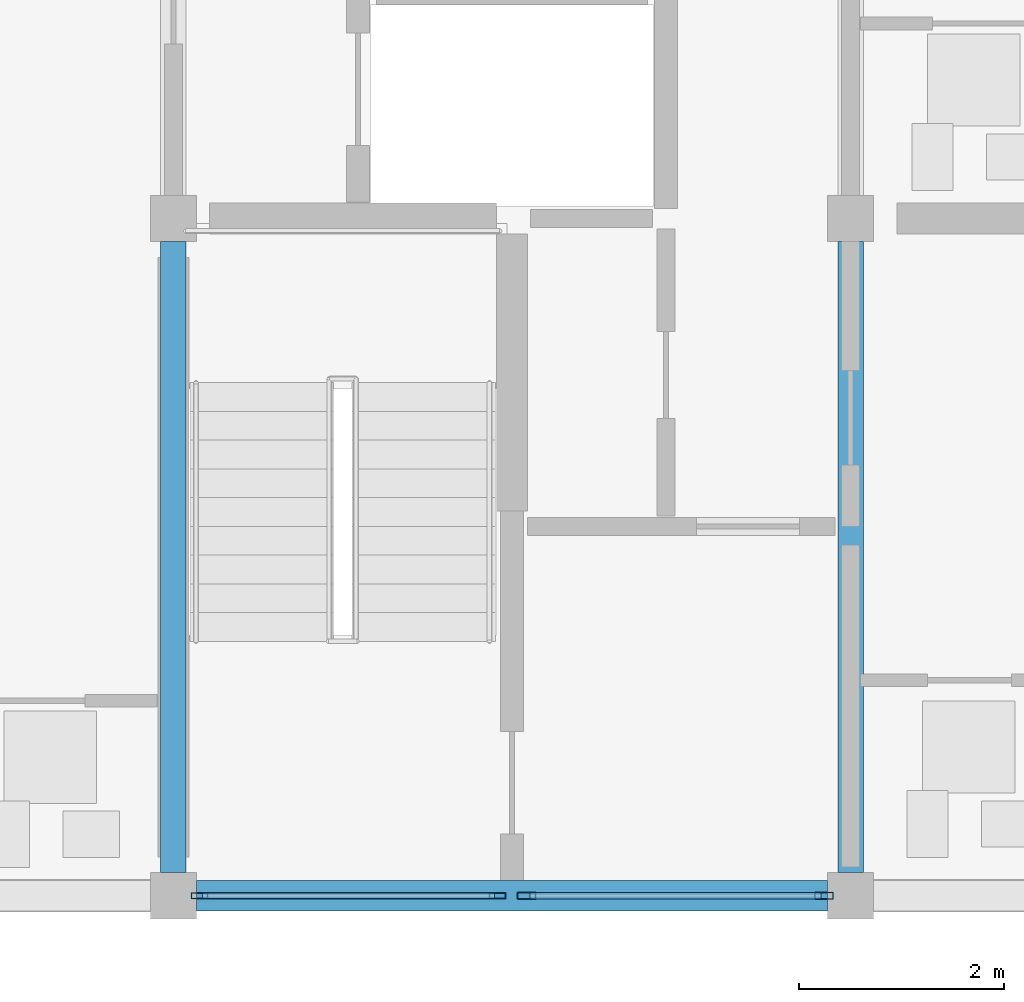
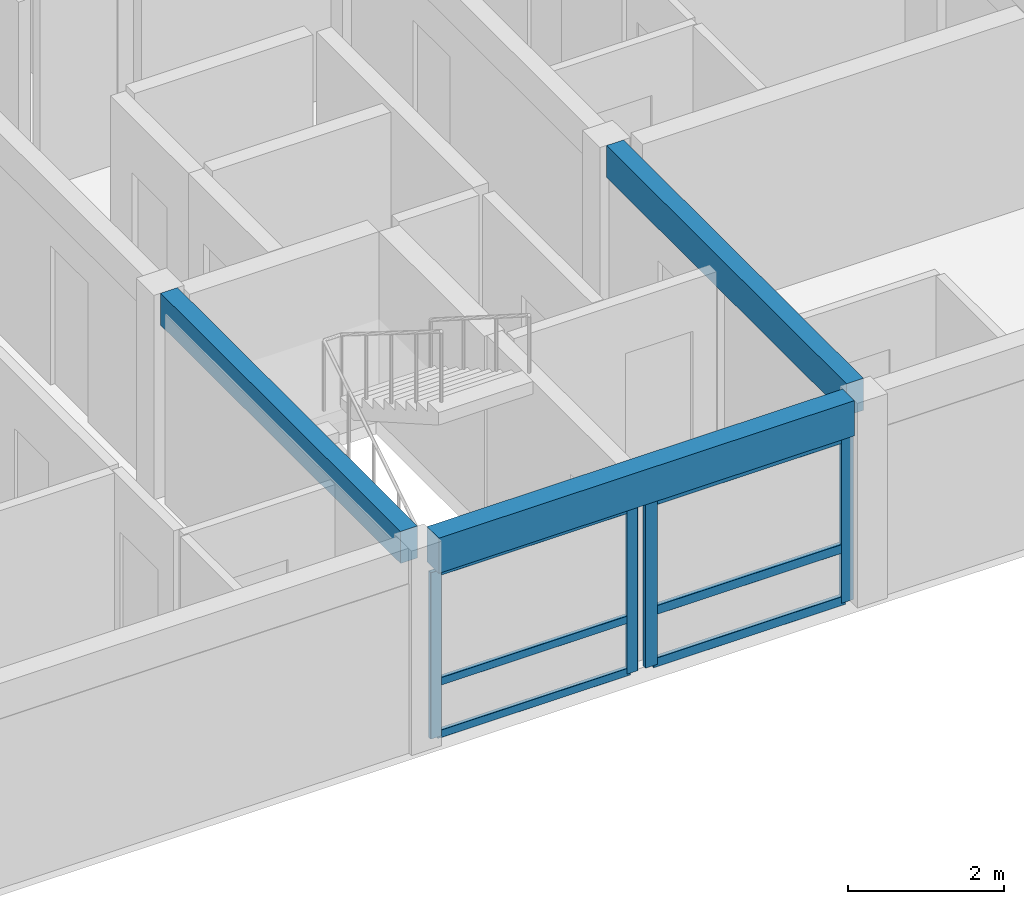
# One storey, part 12 of 53: 10 members, 3 beams, 2 elements without a shape of their own.
"""IFC4 building model written with IfcOpenShell, lengths in metres."""

from ifc_helpers import new_model, si_unit, direction, frame, origin, origin_2d, place, context, subcontext, project, spatial, rectangle, hollow_rectangle, extrude, material, material_profile, profile_set, type_object, element, aggregate, save


model = new_model("IFC4")

# Units and contexts
model_context = context("Model", 3, precision=1e-05, world=origin(), true_north=direction((0.0, 1.0)))
body_context = subcontext(model_context, "Body", "Model", "MODEL_VIEW")
ifc_project = project(units=[si_unit("LENGTHUNIT", "METRE"), si_unit("AREAUNIT", "SQUARE_METRE"), si_unit("VOLUMEUNIT", "CUBIC_METRE"), si_unit("PLANEANGLEUNIT", "RADIAN"), si_unit("MASSUNIT", "GRAM", prefix="KILO")], contexts=[model_context])

# Site, building, storey
site_placement = place(None, origin())
site = spatial("IfcSite", under=ifc_project, at=site_placement, CompositionType="ELEMENT")
building_placement = place(site_placement, origin())
building = spatial("IfcBuilding", under=site, at=building_placement, Name="Kernevlak Ridge Housing Community", CompositionType="ELEMENT")
storey_placement = place(building_placement, frame((0.0, 0.0, 24.39990234375)))
storey = spatial("IfcBuildingStorey", under=building, at=storey_placement, Name="L07", CompositionType="ELEMENT", Elevation=24.39990234375)

# Beams
ifc_material_1 = material(Name="Concrete C35/45", Category="concrete")
ifc_material_profile_1 = material_profile(ifc_material_1, rectangle(XDim=0.25, YDim=0.5, at=origin_2d()), Name="RC 250x500")
ifc_profile_set_1 = profile_set([ifc_material_profile_1], Name="Concrete C35/45")
beam_type_1 = type_object("IfcBeamType", Name="B-06", PredefinedType="T_BEAM", material=ifc_profile_set_1)
for number, where, z_axis, x_axis, name in (
    (1, (132.60009765625, 15.824951171875, 2.9501953125), (0.0, 1.0, 0.0), (-1.0, 0.0, 0.0), "Beam B-06 L07 1160"),
    (2, (139.199951171875, 15.824951171875, 2.9501953125), (0.0, 1.0, 0.0), (-1.0, 0.0, 0.0), "Beam B-06 L07 1164"),
):
    element("IfcBeam", number, at=place(storey_placement, frame(where, z_axis=z_axis, x_axis=x_axis)), inside=storey, type_object=beam_type_1, Name=name, PredefinedType="T_BEAM", context=body_context, shape_type="SweptSolid", body=[
        extrude(rectangle(XDim=0.25, YDim=0.5, at=origin_2d()), origin(), (0.0, 0.0, 1.0), 6.150146484375),
    ])

# Curtain wall, members
ifc_material_2 = material(Name="Aluminium EN AW-6060 anodised and laminated glass", Category="aluminium")
curtain_wall_type_1 = type_object("IfcCurtainWallType", Name="CW-07", PredefinedType="NOTDEFINED", material=ifc_material_2)
curtain_wall_1_placement = place(storey_placement, origin())
curtain_wall_1 = element("IfcCurtainWall", 3, at=curtain_wall_1_placement, inside=storey, type_object=curtain_wall_type_1, Name="Curtain wall CW-07 CW-L07-121", PredefinedType="NOTDEFINED")
ifc_material_3 = material(Name="Aluminium EN AW-6060 anodised", Category="aluminium")
ifc_material_profile_2 = material_profile(ifc_material_3, hollow_rectangle(XDim=0.06005859375, YDim=0.159912109375, WallThickness=0.00390625, InnerFilletRadius=0.001953125, OuterFilletRadius=0.00390625, at=origin_2d()), Name="ALU 60x160x4")
ifc_profile_set_2 = profile_set([ifc_material_profile_2], Name="Aluminium EN AW-6060 anodised")
member_type_1 = type_object("IfcMemberType", Name="MU-02", PredefinedType="MULLION", material=ifc_profile_set_2)
member_1_placement = place(storey_placement, frame((132.85498046875, 15.60009765625, 0.0), z_axis=(0.0, 0.0, 1.0), x_axis=(0.0, 1.0, 0.0)))
member_1 = element("IfcMember", 4, at=member_1_placement, type_object=member_type_1, Name="CW-07 mullion 1", PredefinedType="MULLION", context=body_context, shape_type="SweptSolid", body=[
    extrude(hollow_rectangle(XDim=0.06005859375, YDim=0.159912109375, WallThickness=0.00390625, InnerFilletRadius=0.001953125, OuterFilletRadius=0.00390625, at=origin_2d()), origin(), (0.0, 0.0, 1.0), 2.60009765625),
])
member_2_placement = place(storey_placement, frame((135.760009765625, 15.60009765625, 0.0), z_axis=(0.0, 0.0, 1.0), x_axis=(0.0, 1.0, 0.0)))
member_2 = element("IfcMember", 5, at=member_2_placement, type_object=member_type_1, Name="CW-07 mullion 2", PredefinedType="MULLION", context=body_context, shape_type="SweptSolid", body=[
    extrude(hollow_rectangle(XDim=0.06005859375, YDim=0.159912109375, WallThickness=0.00390625, InnerFilletRadius=0.001953125, OuterFilletRadius=0.00390625, at=origin_2d()), origin(), (0.0, 0.0, 1.0), 2.60009765625),
])

curtain_wall_type_2 = type_object("IfcCurtainWallType", Name="CW-14", PredefinedType="NOTDEFINED", material=ifc_material_2)
curtain_wall_2_placement = place(storey_placement, origin())
curtain_wall_2 = element("IfcCurtainWall", 6, at=curtain_wall_2_placement, inside=storey, type_object=curtain_wall_type_2, Name="Curtain wall CW-14 CW-L07-122", PredefinedType="NOTDEFINED")
ifc_material_profile_3 = material_profile(ifc_material_3, hollow_rectangle(XDim=0.06494140625, YDim=0.179931640625, WallThickness=0.00439453125, InnerFilletRadius=0.001953125, OuterFilletRadius=0.00439453125, at=origin_2d()), Name="ALU 65x180x4.5")
ifc_profile_set_3 = profile_set([ifc_material_profile_3], Name="Aluminium EN AW-6060 anodised")
member_type_2 = type_object("IfcMemberType", Name="MU-03", PredefinedType="MULLION", material=ifc_profile_set_3)
member_3_placement = place(storey_placement, frame((136.04248046875, 15.60009765625, 0.0), z_axis=(0.0, 0.0, 1.0), x_axis=(0.0, 1.0, 0.0)))
member_3 = element("IfcMember", 7, at=member_3_placement, type_object=member_type_2, Name="CW-14 mullion 1", PredefinedType="MULLION", context=body_context, shape_type="SweptSolid", body=[
    extrude(hollow_rectangle(XDim=0.06494140625, YDim=0.179931640625, WallThickness=0.00439453125, InnerFilletRadius=0.001953125, OuterFilletRadius=0.00439453125, at=origin_2d()), origin(), (0.0, 0.0, 1.0), 2.60009765625),
])
member_4_placement = place(storey_placement, frame((138.9423828125, 15.60009765625, 0.0), z_axis=(0.0, 0.0, 1.0), x_axis=(0.0, 1.0, 0.0)))
member_4 = element("IfcMember", 8, at=member_4_placement, type_object=member_type_2, Name="CW-14 mullion 2", PredefinedType="MULLION", context=body_context, shape_type="SweptSolid", body=[
    extrude(hollow_rectangle(XDim=0.06494140625, YDim=0.179931640625, WallThickness=0.00439453125, InnerFilletRadius=0.001953125, OuterFilletRadius=0.00439453125, at=origin_2d()), origin(), (0.0, 0.0, 1.0), 2.60009765625),
])

# Beam
ifc_material_profile_4 = material_profile(ifc_material_1, rectangle(XDim=0.300048828125, YDim=0.550048828125, at=origin_2d()), Name="RC 300x550")
ifc_profile_set_4 = profile_set([ifc_material_profile_4], Name="Concrete C35/45")
beam_type_2 = type_object("IfcBeamType", Name="SP-01", PredefinedType="SPANDREL", material=ifc_profile_set_4)
beam_placement = place(storey_placement, frame((132.824951171875, 15.60009765625, 2.925048828125), z_axis=(1.0, 0.0, 0.0), x_axis=(0.0, 1.0, 0.0)))
element("IfcBeam", 9, at=beam_placement, inside=storey, type_object=beam_type_2, Name="Beam SP-01 L07 1173", PredefinedType="SPANDREL", context=body_context, shape_type="SweptSolid", body=[
    extrude(rectangle(XDim=0.300048828125, YDim=0.550048828125, at=origin_2d()), origin(), (0.0, 0.0, 1.0), 6.150146484375),
])

# Member
ifc_material_profile_5 = material_profile(ifc_material_3, hollow_rectangle(XDim=0.06005859375, YDim=0.1201171875, WallThickness=0.00390625, InnerFilletRadius=0.001953125, OuterFilletRadius=0.00390625, at=origin_2d()), Name="ALU 60x120x4")
ifc_profile_set_5 = profile_set([ifc_material_profile_5], Name="Aluminium EN AW-6060 anodised")
member_type_3 = type_object("IfcMemberType", Name="TM-02", PredefinedType="USERDEFINED", material=ifc_profile_set_5)
member_5_placement = place(storey_placement, frame((132.885009765625, 15.60009765625, 0.030029296875), z_axis=(1.0, 0.0, 0.0), x_axis=(0.0, 1.0, 0.0)))
member_5 = element("IfcMember", 10, at=member_5_placement, type_object=member_type_3, Name="CW-07 transom 1.1", ObjectType="TRANSOM", PredefinedType="USERDEFINED", context=body_context, shape_type="SweptSolid", body=[
    extrude(hollow_rectangle(XDim=0.06005859375, YDim=0.1201171875, WallThickness=0.00390625, InnerFilletRadius=0.001953125, OuterFilletRadius=0.00390625, at=origin_2d()), origin(), (0.0, 0.0, 1.0), 2.844970703125),
])

member_6_placement = place(storey_placement, frame((132.885009765625, 15.60009765625, 0.85009765625), z_axis=(1.0, 0.0, 0.0), x_axis=(0.0, 1.0, 0.0)))
member_6 = element("IfcMember", 11, at=member_6_placement, type_object=member_type_3, Name="CW-07 transom 1.2", ObjectType="TRANSOM", PredefinedType="USERDEFINED", context=body_context, shape_type="SweptSolid", body=[
    extrude(hollow_rectangle(XDim=0.06005859375, YDim=0.1201171875, WallThickness=0.00390625, InnerFilletRadius=0.001953125, OuterFilletRadius=0.00390625, at=origin_2d()), origin(), (0.0, 0.0, 1.0), 2.844970703125),
])

member_7_placement = place(storey_placement, frame((132.885009765625, 15.60009765625, 2.570068359375), z_axis=(1.0, 0.0, 0.0), x_axis=(0.0, 1.0, 0.0)))
member_7 = element("IfcMember", 12, at=member_7_placement, type_object=member_type_3, Name="CW-07 transom 1.3", ObjectType="TRANSOM", PredefinedType="USERDEFINED", context=body_context, shape_type="SweptSolid", body=[
    extrude(hollow_rectangle(XDim=0.06005859375, YDim=0.1201171875, WallThickness=0.00390625, InnerFilletRadius=0.001953125, OuterFilletRadius=0.00390625, at=origin_2d()), origin(), (0.0, 0.0, 1.0), 2.844970703125),
])

aggregate(curtain_wall_1, [member_1, member_2, member_5, member_6, member_7])

ifc_material_profile_6 = material_profile(ifc_material_3, hollow_rectangle(XDim=0.06494140625, YDim=0.139892578125, WallThickness=0.00390625, InnerFilletRadius=0.001953125, OuterFilletRadius=0.00390625, at=origin_2d()), Name="ALU 65x140x4")
ifc_profile_set_6 = profile_set([ifc_material_profile_6], Name="Aluminium EN AW-6060 anodised")
member_type_4 = type_object("IfcMemberType", Name="TM-03", PredefinedType="USERDEFINED", material=ifc_profile_set_6)
member_8_placement = place(storey_placement, frame((136.074951171875, 15.60009765625, 0.03271484375), z_axis=(1.0, 0.0, 0.0), x_axis=(0.0, 1.0, 0.0)))
member_8 = element("IfcMember", 13, at=member_8_placement, type_object=member_type_4, Name="CW-14 transom 1.1", ObjectType="TRANSOM", PredefinedType="USERDEFINED", context=body_context, shape_type="SweptSolid", body=[
    extrude(hollow_rectangle(XDim=0.06494140625, YDim=0.139892578125, WallThickness=0.00390625, InnerFilletRadius=0.001953125, OuterFilletRadius=0.00390625, at=origin_2d()), origin(), (0.0, 0.0, 1.0), 2.8349609375),
])

member_9_placement = place(storey_placement, frame((136.074951171875, 15.60009765625, 0.85009765625), z_axis=(1.0, 0.0, 0.0), x_axis=(0.0, 1.0, 0.0)))
member_9 = element("IfcMember", 14, at=member_9_placement, type_object=member_type_4, Name="CW-14 transom 1.2", ObjectType="TRANSOM", PredefinedType="USERDEFINED", context=body_context, shape_type="SweptSolid", body=[
    extrude(hollow_rectangle(XDim=0.06494140625, YDim=0.139892578125, WallThickness=0.00390625, InnerFilletRadius=0.001953125, OuterFilletRadius=0.00390625, at=origin_2d()), origin(), (0.0, 0.0, 1.0), 2.8349609375),
])

member_10_placement = place(storey_placement, frame((136.074951171875, 15.60009765625, 2.567626953125), z_axis=(1.0, 0.0, 0.0), x_axis=(0.0, 1.0, 0.0)))
member_10 = element("IfcMember", 15, at=member_10_placement, type_object=member_type_4, Name="CW-14 transom 1.3", ObjectType="TRANSOM", PredefinedType="USERDEFINED", context=body_context, shape_type="SweptSolid", body=[
    extrude(hollow_rectangle(XDim=0.06494140625, YDim=0.139892578125, WallThickness=0.00390625, InnerFilletRadius=0.001953125, OuterFilletRadius=0.00390625, at=origin_2d()), origin(), (0.0, 0.0, 1.0), 2.8349609375),
])

aggregate(curtain_wall_2, [member_3, member_4, member_8, member_9, member_10])

save(model, "model.ifc")
